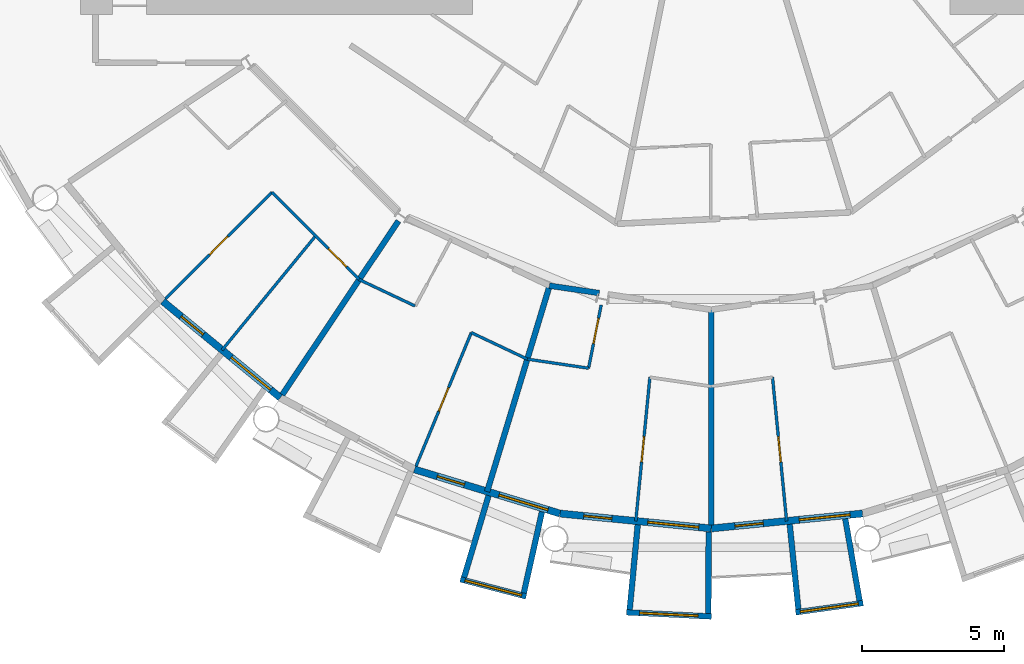
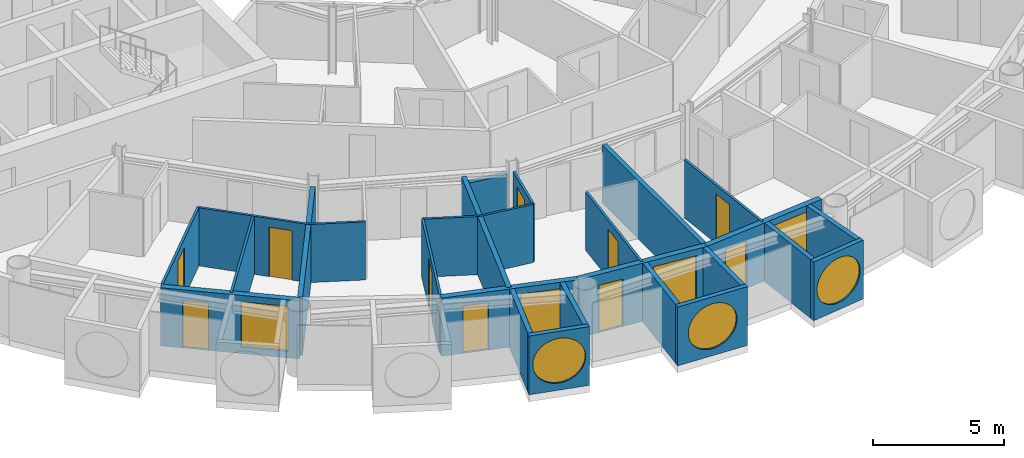
# One storey, part 14 of 27: 27 walls, 10 doors, 7 windows, 17 openings.
"""IFC4 building model written with IfcOpenShell, lengths in metres."""

import ifcopenshell
import ifcopenshell.guid

model = None  # the IFC model being written
_history = None  # IfcOwnerHistory: only IFC2X3 demands one
_inside = {}  # id of a spatial element -> (the spatial element, [elements in it])
_under = {}  # id of a project, library or spatial element -> (it, [spatial elements below it])
_declared = {}  # id of a project -> (the project, [libraries it declares])
_typed = {}  # id of a type object -> (the type object, [elements of that type])
_made_of = {}  # id of a material, layer set ... -> (it, [elements and type objects made of it])


def new_model(schema):
    """Start an empty IFC model of exactly this schema.

    Asked for "IFC4X3", IfcOpenShell would pick the latest addendum, in which some entities
    have other attributes; the version numbers below select the first issue.
    IFC2X3 requires an IfcOwnerHistory on every rooted entity: one is made here for all.
    """
    global model, _history
    if schema == "IFC4X3":
        model = ifcopenshell.file(schema_version=(4, 3, 0, 0))
    else:
        model = ifcopenshell.file(schema=schema)
    _inside.clear()
    _under.clear()
    _declared.clear()
    _typed.clear()
    _made_of.clear()
    _history = None
    if model.schema == "IFC2X3":
        org = make("IfcOrganization", Name="unknown")
        user = make(
            "IfcPersonAndOrganization",
            ThePerson=make("IfcPerson", FamilyName="unknown"),
            TheOrganization=org,
        )
        app = make(
            "IfcApplication",
            ApplicationDeveloper=org,
            Version="unknown",
            ApplicationFullName="unknown",
            ApplicationIdentifier="unknown",
        )
        _history = make(
            "IfcOwnerHistory",
            OwningUser=user,
            OwningApplication=app,
            ChangeAction="ADDED",
            CreationDate=0,
        )
    return model


def make(cls, **values):
    """One entity of the class cls with the attributes given. An attribute that is None is left unset."""
    return model.create_entity(
        cls, **{name: value for name, value in values.items() if value is not None}
    )


def rooted(cls, **values):
    """An entity with a GlobalId (a new one), such as an element, a storey or a relation."""
    return make(cls, GlobalId=ifcopenshell.guid.new(), OwnerHistory=_history, **values)


def si_unit(unit_type, name, prefix=None):
    """IfcSIUnit, for example si_unit("LENGTHUNIT", "METRE", prefix="MILLI")."""
    return make("IfcSIUnit", UnitType=unit_type, Prefix=prefix, Name=name)


def assignment(units):
    """IfcUnitAssignment: the units of a project."""
    return None if units is None else make("IfcUnitAssignment", Units=units)


def point(xyz):
    """IfcCartesianPoint."""
    return None if xyz is None else make("IfcCartesianPoint", Coordinates=xyz)


def direction(xyz):
    """IfcDirection."""
    return None if xyz is None else make("IfcDirection", DirectionRatios=xyz)


def frame(location, z_axis=None, x_axis=None):
    """IfcAxis2Placement3D, a coordinate frame: its origin and axes. An axis left out is left unset."""
    return make(
        "IfcAxis2Placement3D",
        Location=point(location),
        Axis=direction(z_axis),
        RefDirection=direction(x_axis),
    )


def frame_2d(location, x_axis=None):
    """IfcAxis2Placement2D, a coordinate frame in the plane: its origin and x axis."""
    return make(
        "IfcAxis2Placement2D", Location=point(location), RefDirection=direction(x_axis)
    )


def origin():
    """The frame at (0, 0, 0) with its axes left unset."""
    return frame((0.0, 0.0, 0.0))


def place(relative_to, where):
    """IfcLocalPlacement: puts the frame where relative to a parent placement (None: the world)."""
    return make(
        "IfcLocalPlacement", PlacementRelTo=relative_to, RelativePlacement=where
    )


def context(
    kind, dimensions, precision=None, world=None, true_north=None, identifier=None
):
    """IfcGeometricRepresentationContext, for example the 3D "Model" context."""
    return make(
        "IfcGeometricRepresentationContext",
        ContextIdentifier=identifier,
        ContextType=kind,
        CoordinateSpaceDimension=dimensions,
        Precision=precision,
        WorldCoordinateSystem=world,
        TrueNorth=true_north,
    )


def subcontext(parent, identifier, kind, view, scale=None):
    """IfcGeometricRepresentationSubContext, for example "Body" below "Model"."""
    return make(
        "IfcGeometricRepresentationSubContext",
        ContextIdentifier=identifier,
        ContextType=kind,
        ParentContext=parent,
        TargetScale=scale,
        TargetView=view,
    )


def project(units=None, contexts=None):
    """IfcProject with its units and contexts."""
    return rooted(
        "IfcProject",
        Name="project",
        RepresentationContexts=contexts,
        UnitsInContext=assignment(units),
    )


def spatial(cls, under=None, at=None, **own):
    """A site, building, storey or space (cls), placed at a placement, below another one or the project."""
    s = rooted(cls, ObjectPlacement=at, **own)
    if under is not None:
        _under.setdefault(under.id(), (under, []))[1].append(s)
    return s


def profile(cls, at=None, kind="AREA", **sizes):
    """A parametric profile (cls). Its sizes go by their IFC names, for example OverallWidth=200.0."""
    return make(cls, ProfileType=kind, Position=at, **sizes)


def rectangle(**sizes):
    """IfcRectangleProfileDef."""
    return profile("IfcRectangleProfileDef", **sizes)


def circle(**sizes):
    """IfcCircleProfileDef."""
    return profile("IfcCircleProfileDef", **sizes)


def extrude(swept, where, along, depth):
    """IfcExtrudedAreaSolid: the profile swept, set in the frame where, extruded along a direction by depth."""
    return make(
        "IfcExtrudedAreaSolid",
        SweptArea=swept,
        Position=where,
        ExtrudedDirection=direction(along),
        Depth=depth,
    )


def shape(context_of_items, identifier, shape_type, items):
    """IfcShapeRepresentation: the items that make up one representation, for example the "Body"."""
    return make(
        "IfcShapeRepresentation",
        ContextOfItems=context_of_items,
        RepresentationIdentifier=identifier,
        RepresentationType=shape_type,
        Items=items,
    )


def material(Name=None, Category=None):
    """IfcMaterial."""
    return make("IfcMaterial", Name=Name, Category=Category)


def layer(
    of_material, thickness, ventilated=None, Name=None, Category=None, Priority=None
):
    """IfcMaterialLayer: one layer of a wall or slab, of a material (None: an air gap)."""
    return make(
        "IfcMaterialLayer",
        Material=of_material,
        LayerThickness=thickness,
        IsVentilated=ventilated,
        Name=Name,
        Category=Category,
        Priority=Priority,
    )


def layer_set(layers, Name=None):
    """IfcMaterialLayerSet."""
    return make("IfcMaterialLayerSet", MaterialLayers=layers, LayerSetName=Name)


def made_of(thing, what):
    """Note that an element or type object is made of a material, layer set ...; save() writes the relation."""
    if what is not None:
        _made_of.setdefault(what.id(), (what, []))[1].append(thing)
    return thing


def type_object(cls, material=None, **own):
    """A type object (cls), such as IfcWallType, which elements share."""
    return made_of(rooted(cls, **own), material)


def element(
    cls,
    number,
    at=None,
    inside=None,
    cuts=None,
    type_object=None,
    material=None,
    context=None,
    identifier="Body",
    shape_type=None,
    held_by="IfcProductDefinitionShape",
    body=None,
    shapes=None,
    **own,
):
    """One element of the class cls, such as IfcWall. Its Tag is "e" and its number.

    at: its placement. inside: the storey or other place that contains it. cuts: it is an
    opening in that element (IfcRelVoidsElement). A single representation is given by context,
    identifier, shape_type and body (its items); several are given by shapes. held_by: the class
    of the entity that holds the representations. save() writes the other relations.
    """
    e = rooted(cls, Tag="e%d" % number, ObjectPlacement=at, **own)
    if body is not None:
        shapes = [shape(context, identifier, shape_type, body)]
    if shapes is not None:
        e.Representation = make(held_by, Representations=shapes)
    if inside is not None:
        _inside.setdefault(inside.id(), (inside, []))[1].append(e)
    if cuts is not None:
        rooted(
            "IfcRelVoidsElement", RelatingBuildingElement=cuts, RelatedOpeningElement=e
        )
    if type_object is not None:
        _typed.setdefault(type_object.id(), (type_object, []))[1].append(e)
    return made_of(e, material)


def fill(opening, filler):
    """IfcRelFillsElement: the door or window that sits in an opening."""
    return rooted(
        "IfcRelFillsElement",
        RelatingOpeningElement=opening,
        RelatedBuildingElement=filler,
    )


def aggregate(whole, parts):
    """IfcRelAggregates: a whole, such as a stair, and the parts it consists of."""
    return rooted("IfcRelAggregates", RelatingObject=whole, RelatedObjects=parts)


def save(model, path):
    """Write the relations noted so far, then the file.

    IfcRelAggregates (storeys below a building ...), IfcRelContainedInSpatialStructure (elements
    in a storey), IfcRelDefinesByType, IfcRelAssociatesMaterial and IfcRelDeclares: one each for
    every whole, place, type object, material and project.
    """
    for whole, parts in _under.values():
        aggregate(whole, parts)
    for where, things in _inside.values():
        rooted(
            "IfcRelContainedInSpatialStructure",
            RelatedElements=things,
            RelatingStructure=where,
        )
    for kind, things in _typed.values():
        rooted("IfcRelDefinesByType", RelatedObjects=things, RelatingType=kind)
    for what, things in _made_of.values():
        rooted("IfcRelAssociatesMaterial", RelatedObjects=things, RelatingMaterial=what)
    for by, libraries in _declared.values():
        rooted("IfcRelDeclares", RelatingContext=by, RelatedDefinitions=libraries)
    model.write(path)


model = new_model("IFC4")

# Units and contexts
model_context = context("Model", 3, precision=1e-05, world=origin(), true_north=direction((0.0, 1.0)))
body_context = subcontext(model_context, "Body", "Model", "MODEL_VIEW")
ifc_project = project(units=[si_unit("LENGTHUNIT", "METRE"), si_unit("AREAUNIT", "SQUARE_METRE"), si_unit("VOLUMEUNIT", "CUBIC_METRE"), si_unit("PLANEANGLEUNIT", "RADIAN"), si_unit("MASSUNIT", "GRAM", prefix="KILO")], contexts=[model_context])

# Site, building, storey
site_placement = place(None, origin())
site = spatial("IfcSite", under=ifc_project, at=site_placement, CompositionType="ELEMENT")
building_placement = place(site_placement, origin())
building = spatial("IfcBuilding", under=site, at=building_placement, Name="Maasbend Ring Residences", CompositionType="ELEMENT")
storey_placement = place(building_placement, frame((0.0, 0.0, 126.89990234375)))
storey = spatial("IfcBuildingStorey", under=building, at=storey_placement, Name="L36", CompositionType="ELEMENT", Elevation=126.89990234375)

# Wall
ifc_material_1 = material(Name="Concrete C30/37", Category="concrete")
ifc_layer_1 = layer(ifc_material_1, 0.199951171875)
ifc_layer_set_1 = layer_set([ifc_layer_1], Name="Concrete C30/37")
wall_type_1 = type_object("IfcWallType", Name="CORRIDOR WALL 200 CONCRETE", PredefinedType="PARTITIONING", material=ifc_layer_set_1)
wall_1_placement = place(storey_placement, frame((-5.696044921875, -18.7548828125, 0.0), z_axis=(0.0, 0.0, 1.0), x_axis=(0.989227802256, -0.146384272531, 0.0)))
element("IfcWall", 1, at=wall_1_placement, inside=storey, type_object=wall_type_1, Name="U-L36-w016", PredefinedType="PARTITIONING", context=body_context, shape_type="SweptSolid", body=[
    extrude(rectangle(XDim=1.776123046875, YDim=0.199951171875, at=frame_2d((0.88818359375, 0.0))), origin(), (0.0, 0.0, 1.0), 2.39013671875),
])

# Wall, opening, window
ifc_material_2 = material(Name="Pale anodised aluminium panel", Category="aluminium")
ifc_layer_2 = layer(ifc_material_2, 0.199951171875)
ifc_layer_set_2 = layer_set([ifc_layer_2], Name="EW-BOX")
wall_type_2 = type_object("IfcWallType", Name="EW-BOX", PredefinedType="SOLIDWALL", material=ifc_layer_set_2)
wall_2_placement = place(storey_placement, frame((-8.827880859375, -29.090087890625, -0.02978515625), z_axis=(0.0, 0.0, 1.0), x_axis=(0.967554339146, -0.252663018266, 0.0)))
wall_2 = element("IfcWall", 2, at=wall_2_placement, inside=storey, type_object=wall_type_2, Name="Box front S08", PredefinedType="SOLIDWALL", context=body_context, shape_type="SweptSolid", body=[
    extrude(rectangle(XDim=2.390625, YDim=0.199951171875, at=frame_2d((1.1953125, 0.0))), origin(), (0.0, 0.0, 1.0), 2.72998046875),
])
opening_1_placement = place(wall_2_placement, frame((0.15576171875, 0.0, 0.330078125)))
opening_1 = element("IfcOpeningElement", 3, at=opening_1_placement, cuts=wall_2, Name="Opening W-RD", PredefinedType="OPENING", context=body_context, shape_type="SweptSolid", body=[
    extrude(circle(Radius=1.0400390625, at=frame_2d((1.0400390625, 1.0400390625))), frame((0.0, 0.10986328125, 0.0), z_axis=(0.0, -1.0, 0.0), x_axis=(1.0, 0.0, 0.0)), (0.0, 0.0, 1.0), 0.219970703125),
])
ifc_material_3 = material(Name="Aluminium and clear glass", Category="aluminium")
window_type_1 = type_object("IfcWindowType", Name="W-RD", PartitioningType="SINGLE_PANEL", PredefinedType="WINDOW", material=ifc_material_3)
window_1_placement = place(opening_1_placement, origin())
window_1 = element("IfcWindow", 4, at=window_1_placement, inside=storey, type_object=window_type_1, Name="Round window S08", OverallHeight=2.080078125, OverallWidth=2.080078125, PartitioningType="SINGLE_PANEL", PredefinedType="WINDOW", context=body_context, shape_type="SweptSolid", body=[
    extrude(circle(Radius=1.0400390625, at=frame_2d((1.0400390625, 1.0400390625))), frame((0.0, 0.030029296875, 0.0), z_axis=(0.0, -1.0, 0.0), x_axis=(1.0, 0.0, 0.0)), (0.0, 0.0, 1.0), 0.06005859375),
])
fill(opening_1, window_1)

# Walls
wall_3_placement = place(storey_placement, frame((-7.8369140625, -26.14404296875, -0.02978515625), z_axis=(0.0, 0.0, 1.0), x_axis=(-0.287064767992, -0.957911174889, 0.0)))
element("IfcWall", 5, at=wall_3_placement, inside=storey, type_object=wall_type_2, Name="Box side wall S08 left", PredefinedType="SOLIDWALL", context=body_context, shape_type="SweptSolid", body=[
    extrude(rectangle(XDim=3.00634765625, YDim=0.199951171875, at=frame_2d((1.503173828125, 0.0))), origin(), (0.0, 0.0, 1.0), 2.72998046875),
])
wall_4_placement = place(storey_placement, frame((-5.95703125, -26.715087890625, -0.02978515625), z_axis=(0.0, 0.0, 1.0), x_axis=(-0.217857287091, -0.975980636315, 0.0)))
element("IfcWall", 6, at=wall_4_placement, inside=storey, type_object=wall_type_2, Name="Box side wall S08 right", PredefinedType="SOLIDWALL", context=body_context, shape_type="SweptSolid", body=[
    extrude(rectangle(XDim=2.92822265625, YDim=0.199951171875, at=frame_2d((1.464111328125, 0.0))), origin(), (0.0, 0.0, 1.0), 2.72998046875),
])

# Wall, opening, window
wall_5_placement = place(storey_placement, frame((-2.985107421875, -30.2529296875, -0.02978515625), z_axis=(0.0, 0.0, 1.0), x_axis=(0.998794083011, -0.049095618353, 0.0)))
wall_5 = element("IfcWall", 7, at=wall_5_placement, inside=storey, type_object=wall_type_2, Name="Box front S10", PredefinedType="SOLIDWALL", context=body_context, shape_type="SweptSolid", body=[
    extrude(rectangle(XDim=2.99365234375, YDim=0.199951171875, at=frame_2d((1.496826171875, 0.0))), origin(), (0.0, 0.0, 1.0), 2.72998046875),
])
opening_2_placement = place(wall_5_placement, frame((0.45654296875, 0.0, 0.330078125)))
opening_2 = element("IfcOpeningElement", 8, at=opening_2_placement, cuts=wall_5, Name="Opening W-RD", PredefinedType="OPENING", context=body_context, shape_type="SweptSolid", body=[
    extrude(circle(Radius=1.0400390625, at=frame_2d((1.0400390625, 1.0400390625))), frame((0.0, 0.10986328125, 0.0), z_axis=(0.0, -1.0, 0.0), x_axis=(1.0, 0.0, 0.0)), (0.0, 0.0, 1.0), 0.219970703125),
])
window_2_placement = place(opening_2_placement, origin())
window_2 = element("IfcWindow", 9, at=window_2_placement, inside=storey, type_object=window_type_1, Name="Round window S10", OverallHeight=2.080078125, OverallWidth=2.080078125, PartitioningType="SINGLE_PANEL", PredefinedType="WINDOW", context=body_context, shape_type="SweptSolid", body=[
    extrude(circle(Radius=1.0400390625, at=frame_2d((1.0400390625, 1.0400390625))), frame((0.0, 0.030029296875, 0.0), z_axis=(0.0, -1.0, 0.0), x_axis=(1.0, 0.0, 0.0)), (0.0, 0.0, 1.0), 0.06005859375),
])
fill(opening_2, window_2)

# Walls
wall_6_placement = place(storey_placement, frame((-2.5859375, -27.1708984375, -0.02978515625), z_axis=(0.0, 0.0, 1.0), x_axis=(-0.094548432284, -0.995520262954, 0.0)))
element("IfcWall", 10, at=wall_6_placement, inside=storey, type_object=wall_type_2, Name="Box side wall S10 left", PredefinedType="SOLIDWALL", context=body_context, shape_type="SweptSolid", body=[
    extrude(rectangle(XDim=3.005615234375, YDim=0.199951171875, at=frame_2d((1.5029296875, 0.0))), origin(), (0.0, 0.0, 1.0), 2.72998046875),
])
wall_7_placement = place(storey_placement, frame((-0.090087890625, -27.4169921875, -0.02978515625), z_axis=(0.0, 0.0, 1.0), x_axis=(-0.00347308367, -0.999993968827, 0.0)))
element("IfcWall", 11, at=wall_7_placement, inside=storey, type_object=wall_type_2, Name="Box side wall S10 right", PredefinedType="SOLIDWALL", context=body_context, shape_type="SweptSolid", body=[
    extrude(rectangle(XDim=2.882080078125, YDim=0.199951171875, at=frame_2d((1.44091796875, 0.0))), origin(), (0.0, 0.0, 1.0), 2.72998046875),
])

# Wall, opening, window
wall_8_placement = place(storey_placement, frame((2.97607421875, -30.25390625, -0.02978515625), z_axis=(0.0, 0.0, 1.0), x_axis=(0.99061207328, 0.136703036805, 0.0)))
wall_8 = element("IfcWall", 12, at=wall_8_placement, inside=storey, type_object=wall_type_2, Name="Box front S12", PredefinedType="SOLIDWALL", context=body_context, shape_type="SweptSolid", body=[
    extrude(rectangle(XDim=2.391357421875, YDim=0.199951171875, at=frame_2d((1.19580078125, 0.0))), origin(), (0.0, 0.0, 1.0), 2.72998046875),
])
opening_3_placement = place(wall_8_placement, frame((0.15576171875, 0.0, 0.330078125)))
opening_3 = element("IfcOpeningElement", 13, at=opening_3_placement, cuts=wall_8, Name="Opening W-RD", PredefinedType="OPENING", context=body_context, shape_type="SweptSolid", body=[
    extrude(circle(Radius=1.0400390625, at=frame_2d((1.0400390625, 1.0400390625))), frame((0.0, 0.10986328125, 0.0), z_axis=(0.0, -1.0, 0.0), x_axis=(1.0, 0.0, 0.0)), (0.0, 0.0, 1.0), 0.219970703125),
])
window_3_placement = place(opening_3_placement, origin())
window_3 = element("IfcWindow", 14, at=window_3_placement, inside=storey, type_object=window_type_1, Name="Round window S12", OverallHeight=2.080078125, OverallWidth=2.080078125, PartitioningType="SINGLE_PANEL", PredefinedType="WINDOW", context=body_context, shape_type="SweptSolid", body=[
    extrude(circle(Radius=1.0400390625, at=frame_2d((1.0400390625, 1.0400390625))), frame((0.0, 0.030029296875, 0.0), z_axis=(0.0, -1.0, 0.0), x_axis=(1.0, 0.0, 0.0)), (0.0, 0.0, 1.0), 0.06005859375),
])
fill(opening_3, window_3)

# Walls
wall_9_placement = place(storey_placement, frame((2.763916015625, -27.153076171875, -0.02978515625), z_axis=(0.0, 0.0, 1.0), x_axis=(0.101505487237, -0.994834979311, 0.0)))
element("IfcWall", 15, at=wall_9_placement, inside=storey, type_object=wall_type_2, Name="Box side wall S12 left", PredefinedType="SOLIDWALL", context=body_context, shape_type="SweptSolid", body=[
    extrude(rectangle(XDim=3.006591796875, YDim=0.199951171875, at=frame_2d((1.50341796875, 0.0))), origin(), (0.0, 0.0, 1.0), 2.72998046875),
])
wall_10_placement = place(storey_placement, frame((4.719970703125, -26.9609375, -0.02978515625), z_axis=(0.0, 0.0, 1.0), x_axis=(0.172463232037, -0.98501595601, 0.0)))
element("IfcWall", 16, at=wall_10_placement, inside=storey, type_object=wall_type_2, Name="Box side wall S12 right", PredefinedType="SOLIDWALL", context=body_context, shape_type="SweptSolid", body=[
    extrude(rectangle(XDim=2.928955078125, YDim=0.199951171875, at=frame_2d((1.46435546875, 0.0))), origin(), (0.0, 0.0, 1.0), 2.72998046875),
])

# Wall, openings, door, window
ifc_material_4 = material(Name="Aluminium clad insulated panel", Category="aluminium")
ifc_layer_3 = layer(ifc_material_4, 0.25)
ifc_layer_set_3 = layer_set([ifc_layer_3], Name="EW-GL")
wall_type_3 = type_object("IfcWallType", Name="EW-GL", PredefinedType="SOLIDWALL", material=ifc_layer_set_3)
wall_11_placement = place(storey_placement, frame((-19.303955078125, -19.303955078125, 0.0), z_axis=(0.0, 0.0, 1.0), x_axis=(0.773019449054, -0.634382322723, 0.0)))
wall_11 = element("IfcWall", 17, at=wall_11_placement, inside=storey, type_object=wall_type_3, Name="External wall S02", PredefinedType="SOLIDWALL", context=body_context, shape_type="SweptSolid", body=[
    extrude(rectangle(XDim=5.351806640625, YDim=0.25, at=frame_2d((2.67578125, 0.0))), origin(), (0.0, 0.0, 1.0), 2.7001953125),
])
opening_4_placement = place(wall_11_placement, frame((0.841064453125, 0.0, 0.0)))
opening_4 = element("IfcOpeningElement", 18, at=opening_4_placement, cuts=wall_11, Name="Opening D-LG", PredefinedType="OPENING", context=body_context, shape_type="SweptSolid", body=[
    extrude(rectangle(XDim=1.0, YDim=2.199951171875, at=frame_2d((0.5, 1.10009765625))), frame((0.0, 0.135009765625, 0.0), z_axis=(0.0, -1.0, 0.0), x_axis=(1.0, 0.0, 0.0)), (0.0, 0.0, 1.0), 0.27001953125),
])
opening_5_placement = place(wall_11_placement, frame((3.110595703125, 0.0, 0.300048828125)))
opening_5 = element("IfcOpeningElement", 19, at=opening_5_placement, cuts=wall_11, Name="Opening W-BX", PredefinedType="OPENING", context=body_context, shape_type="SweptSolid", body=[
    extrude(rectangle(XDim=1.800048828125, YDim=2.10009765625, at=frame_2d((0.89990234375, 1.050048828125))), frame((0.0, 0.135009765625, 0.0), z_axis=(0.0, -1.0, 0.0), x_axis=(1.0, 0.0, 0.0)), (0.0, 0.0, 1.0), 0.27001953125),
])
ifc_material_5 = material(Name="Aluminium and clear glass", Category="aluminium")
door_type_1 = type_object("IfcDoorType", Name="D-LG", OperationType="SINGLE_SWING_LEFT", PredefinedType="DOOR", material=ifc_material_5)
door_1_placement = place(opening_4_placement, origin())
door_1 = element("IfcDoor", 20, at=door_1_placement, inside=storey, type_object=door_type_1, Name="Loggia door S03", OperationType="SINGLE_SWING_LEFT", OverallHeight=2.199951171875, OverallWidth=1.0, PredefinedType="DOOR", context=body_context, shape_type="SweptSolid", body=[
    extrude(rectangle(XDim=1.0, YDim=2.199951171875, at=frame_2d((0.5, 1.10009765625))), frame((0.0, 0.02490234375, 0.0), z_axis=(0.0, -1.0, 0.0), x_axis=(1.0, 0.0, 0.0)), (0.0, 0.0, 1.0), 0.050048828125),
])
fill(opening_4, door_1)
ifc_material_6 = material(Name="Aluminium and clear glass", Category="aluminium")
window_type_2 = type_object("IfcWindowType", Name="W-BX", PartitioningType="DOUBLE_PANEL_VERTICAL", PredefinedType="WINDOW", material=ifc_material_6)
window_4_placement = place(opening_5_placement, origin())
window_4 = element("IfcWindow", 21, at=window_4_placement, inside=storey, type_object=window_type_2, Name="Window S04 room to box", OverallHeight=2.10009765625, OverallWidth=1.800048828125, PartitioningType="SINGLE_PANEL", PredefinedType="WINDOW", context=body_context, shape_type="SweptSolid", body=[
    extrude(rectangle(XDim=1.800048828125, YDim=2.10009765625, at=frame_2d((0.89990234375, 1.050048828125))), frame((0.0, 0.030029296875, 0.0), z_axis=(0.0, -1.0, 0.0), x_axis=(1.0, 0.0, 0.0)), (0.0, 0.0, 1.0), 0.06005859375),
])
fill(opening_5, window_4)

wall_12_placement = place(storey_placement, frame((-10.447021484375, -25.221923828125, 0.0), z_axis=(0.0, 0.0, 1.0), x_axis=(0.956965678721, -0.290201119486, 0.0)))
wall_12 = element("IfcWall", 22, at=wall_12_placement, inside=storey, type_object=wall_type_3, Name="External wall S04", PredefinedType="SOLIDWALL", context=body_context, shape_type="SweptSolid", body=[
    extrude(rectangle(XDim=5.351318359375, YDim=0.25, at=frame_2d((2.67578125, 0.0))), origin(), (0.0, 0.0, 1.0), 2.7001953125),
])
opening_6_placement = place(wall_12_placement, frame((0.841064453125, 0.0, 0.0)))
opening_6 = element("IfcOpeningElement", 23, at=opening_6_placement, cuts=wall_12, Name="Opening D-LG", PredefinedType="OPENING", context=body_context, shape_type="SweptSolid", body=[
    extrude(rectangle(XDim=1.0, YDim=2.199951171875, at=frame_2d((0.5, 1.10009765625))), frame((0.0, 0.135009765625, 0.0), z_axis=(0.0, -1.0, 0.0), x_axis=(1.0, 0.0, 0.0)), (0.0, 0.0, 1.0), 0.27001953125),
])
opening_7_placement = place(wall_12_placement, frame((3.110595703125, 0.0, 0.300048828125)))
opening_7 = element("IfcOpeningElement", 24, at=opening_7_placement, cuts=wall_12, Name="Opening W-BX", PredefinedType="OPENING", context=body_context, shape_type="SweptSolid", body=[
    extrude(rectangle(XDim=1.800048828125, YDim=2.10009765625, at=frame_2d((0.89990234375, 1.050048828125))), frame((0.0, 0.135009765625, 0.0), z_axis=(0.0, -1.0, 0.0), x_axis=(1.0, 0.0, 0.0)), (0.0, 0.0, 1.0), 0.27001953125),
])
door_2_placement = place(opening_6_placement, origin())
door_2 = element("IfcDoor", 25, at=door_2_placement, inside=storey, type_object=door_type_1, Name="Loggia door S07", OperationType="SINGLE_SWING_LEFT", OverallHeight=2.199951171875, OverallWidth=1.0, PredefinedType="DOOR", context=body_context, shape_type="SweptSolid", body=[
    extrude(rectangle(XDim=1.0, YDim=2.199951171875, at=frame_2d((0.5, 1.10009765625))), frame((0.0, 0.02490234375, 0.0), z_axis=(0.0, -1.0, 0.0), x_axis=(1.0, 0.0, 0.0)), (0.0, 0.0, 1.0), 0.050048828125),
])
fill(opening_6, door_2)
window_5_placement = place(opening_7_placement, origin())
window_5 = element("IfcWindow", 26, at=window_5_placement, inside=storey, type_object=window_type_2, Name="Window S08 room to box", OverallHeight=2.10009765625, OverallWidth=1.800048828125, PartitioningType="SINGLE_PANEL", PredefinedType="WINDOW", context=body_context, shape_type="SweptSolid", body=[
    extrude(rectangle(XDim=1.800048828125, YDim=2.10009765625, at=frame_2d((0.89990234375, 1.050048828125))), frame((0.0, 0.030029296875, 0.0), z_axis=(0.0, -1.0, 0.0), x_axis=(1.0, 0.0, 0.0)), (0.0, 0.0, 1.0), 0.06005859375),
])
fill(opening_7, window_5)

wall_13_placement = place(storey_placement, frame((-5.325927734375, -26.77490234375, 0.0), z_axis=(0.0, 0.0, 1.0), x_axis=(0.995173996315, -0.098126026407, 0.0)))
wall_13 = element("IfcWall", 27, at=wall_13_placement, inside=storey, type_object=wall_type_3, Name="External wall S05", PredefinedType="SOLIDWALL", context=body_context, shape_type="SweptSolid", body=[
    extrude(rectangle(XDim=5.351806640625, YDim=0.25, at=frame_2d((2.67578125, 0.0))), origin(), (0.0, 0.0, 1.0), 2.7001953125),
])
opening_8_placement = place(wall_13_placement, frame((0.841064453125, 0.0, 0.0)))
opening_8 = element("IfcOpeningElement", 28, at=opening_8_placement, cuts=wall_13, Name="Opening D-LG", PredefinedType="OPENING", context=body_context, shape_type="SweptSolid", body=[
    extrude(rectangle(XDim=1.0, YDim=2.199951171875, at=frame_2d((0.5, 1.10009765625))), frame((0.0, 0.135009765625, 0.0), z_axis=(0.0, -1.0, 0.0), x_axis=(1.0, 0.0, 0.0)), (0.0, 0.0, 1.0), 0.27001953125),
])
opening_9_placement = place(wall_13_placement, frame((3.110595703125, 0.0, 0.300048828125)))
opening_9 = element("IfcOpeningElement", 29, at=opening_9_placement, cuts=wall_13, Name="Opening W-BX", PredefinedType="OPENING", context=body_context, shape_type="SweptSolid", body=[
    extrude(rectangle(XDim=1.800048828125, YDim=2.10009765625, at=frame_2d((0.89990234375, 1.050048828125))), frame((0.0, 0.135009765625, 0.0), z_axis=(0.0, -1.0, 0.0), x_axis=(1.0, 0.0, 0.0)), (0.0, 0.0, 1.0), 0.27001953125),
])
door_3_placement = place(opening_8_placement, origin())
door_3 = element("IfcDoor", 30, at=door_3_placement, inside=storey, type_object=door_type_1, Name="Loggia door S09", OperationType="SINGLE_SWING_LEFT", OverallHeight=2.199951171875, OverallWidth=1.0, PredefinedType="DOOR", context=body_context, shape_type="SweptSolid", body=[
    extrude(rectangle(XDim=1.0, YDim=2.199951171875, at=frame_2d((0.5, 1.10009765625))), frame((0.0, 0.02490234375, 0.0), z_axis=(0.0, -1.0, 0.0), x_axis=(1.0, 0.0, 0.0)), (0.0, 0.0, 1.0), 0.050048828125),
])
fill(opening_8, door_3)
window_6_placement = place(opening_9_placement, origin())
window_6 = element("IfcWindow", 31, at=window_6_placement, inside=storey, type_object=window_type_2, Name="Window S10 room to box", OverallHeight=2.10009765625, OverallWidth=1.800048828125, PartitioningType="SINGLE_PANEL", PredefinedType="WINDOW", context=body_context, shape_type="SweptSolid", body=[
    extrude(rectangle(XDim=1.800048828125, YDim=2.10009765625, at=frame_2d((0.89990234375, 1.050048828125))), frame((0.0, 0.030029296875, 0.0), z_axis=(0.0, -1.0, 0.0), x_axis=(1.0, 0.0, 0.0)), (0.0, 0.0, 1.0), 0.06005859375),
])
fill(opening_9, window_6)

wall_14_placement = place(storey_placement, frame((0.0, -27.300048828125, 0.0), z_axis=(0.0, 0.0, 1.0), x_axis=(0.995173996315, 0.098126026407, 0.0)))
wall_14 = element("IfcWall", 32, at=wall_14_placement, inside=storey, type_object=wall_type_3, Name="External wall S06", PredefinedType="SOLIDWALL", context=body_context, shape_type="SweptSolid", body=[
    extrude(rectangle(XDim=5.351806640625, YDim=0.25, at=frame_2d((2.67578125, 0.0))), origin(), (0.0, 0.0, 1.0), 2.7001953125),
])
opening_10_placement = place(wall_14_placement, frame((0.841064453125, 0.0, 0.0)))
opening_10 = element("IfcOpeningElement", 33, at=opening_10_placement, cuts=wall_14, Name="Opening D-LG", PredefinedType="OPENING", context=body_context, shape_type="SweptSolid", body=[
    extrude(rectangle(XDim=1.0, YDim=2.199951171875, at=frame_2d((0.5, 1.10009765625))), frame((0.0, 0.135009765625, 0.0), z_axis=(0.0, -1.0, 0.0), x_axis=(1.0, 0.0, 0.0)), (0.0, 0.0, 1.0), 0.27001953125),
])
opening_11_placement = place(wall_14_placement, frame((3.110595703125, 0.0, 0.300048828125)))
opening_11 = element("IfcOpeningElement", 34, at=opening_11_placement, cuts=wall_14, Name="Opening W-BX", PredefinedType="OPENING", context=body_context, shape_type="SweptSolid", body=[
    extrude(rectangle(XDim=1.800048828125, YDim=2.10009765625, at=frame_2d((0.89990234375, 1.050048828125))), frame((0.0, 0.135009765625, 0.0), z_axis=(0.0, -1.0, 0.0), x_axis=(1.0, 0.0, 0.0)), (0.0, 0.0, 1.0), 0.27001953125),
])
door_4_placement = place(opening_10_placement, origin())
door_4 = element("IfcDoor", 35, at=door_4_placement, inside=storey, type_object=door_type_1, Name="Loggia door S11", OperationType="SINGLE_SWING_LEFT", OverallHeight=2.199951171875, OverallWidth=1.0, PredefinedType="DOOR", context=body_context, shape_type="SweptSolid", body=[
    extrude(rectangle(XDim=1.0, YDim=2.199951171875, at=frame_2d((0.5, 1.10009765625))), frame((0.0, 0.02490234375, 0.0), z_axis=(0.0, -1.0, 0.0), x_axis=(1.0, 0.0, 0.0)), (0.0, 0.0, 1.0), 0.050048828125),
])
fill(opening_10, door_4)
window_7_placement = place(opening_11_placement, origin())
window_7 = element("IfcWindow", 36, at=window_7_placement, inside=storey, type_object=window_type_2, Name="Window S12 room to box", OverallHeight=2.10009765625, OverallWidth=1.800048828125, PartitioningType="SINGLE_PANEL", PredefinedType="WINDOW", context=body_context, shape_type="SweptSolid", body=[
    extrude(rectangle(XDim=1.800048828125, YDim=2.10009765625, at=frame_2d((0.89990234375, 1.050048828125))), frame((0.0, 0.030029296875, 0.0), z_axis=(0.0, -1.0, 0.0), x_axis=(1.0, 0.0, 0.0)), (0.0, 0.0, 1.0), 0.06005859375),
])
fill(opening_11, window_7)

# Walls
ifc_material_7 = material(Name="Gypsum board on steel studs", Category="steel")
ifc_layer_4 = layer(ifc_material_7, 0.10009765625)
ifc_layer_set_4 = layer_set([ifc_layer_4], Name="PARTITION 100 GYPSUM")
wall_type_4 = type_object("IfcWallType", Name="PARTITION 100 GYPSUM", PredefinedType="PARTITIONING", material=ifc_layer_set_4)
wall_15_placement = place(storey_placement, frame((-12.39697265625, -18.537109375, 0.0), z_axis=(0.0, 0.0, 1.0), x_axis=(0.903951937529, -0.427634066274, 0.0)))
element("IfcWall", 37, at=wall_15_placement, inside=storey, type_object=wall_type_4, Name="U-L36-w001", PredefinedType="PARTITIONING", context=body_context, shape_type="SweptSolid", body=[
    extrude(rectangle(XDim=2.181396484375, YDim=0.10009765625, at=frame_2d((1.0908203125, 0.0))), origin(), (0.0, 0.0, 1.0), 2.7001953125),
])
wall_16_placement = place(storey_placement, frame((-8.445068359375, -20.406982421875, 0.0), z_axis=(0.0, 0.0, 1.0), x_axis=(0.903929143338, -0.427682246328, 0.0)))
element("IfcWall", 38, at=wall_16_placement, inside=storey, type_object=wall_type_4, Name="U-L36-w002", PredefinedType="PARTITIONING", context=body_context, shape_type="SweptSolid", body=[
    extrude(rectangle(XDim=2.181884765625, YDim=0.10009765625, at=frame_2d((1.0908203125, 0.0))), origin(), (0.0, 0.0, 1.0), 2.7001953125),
])
wall_17_placement = place(storey_placement, frame((-6.472900390625, -21.340087890625, 0.0), z_axis=(0.0, 0.0, 1.0), x_axis=(0.989185420695, -0.146670390618, 0.0)))
element("IfcWall", 39, at=wall_17_placement, inside=storey, type_object=wall_type_4, Name="U-L36-w003", PredefinedType="PARTITIONING", context=body_context, shape_type="SweptSolid", body=[
    extrude(rectangle(XDim=2.1806640625, YDim=0.10009765625, at=frame_2d((1.09033203125, 0.0))), origin(), (0.0, 0.0, 1.0), 2.7001953125),
])

# Wall, opening, door
wall_18_placement = place(storey_placement, frame((-15.462890625, -15.468017578125, 0.0), z_axis=(0.0, 0.0, 1.0), x_axis=(0.707106781187, -0.707106781187, 0.0)))
wall_18 = element("IfcWall", 40, at=wall_18_placement, inside=storey, type_object=wall_type_4, Name="U-L36-w010", PredefinedType="PARTITIONING", context=body_context, shape_type="SweptSolid", body=[
    extrude(rectangle(XDim=4.351318359375, YDim=0.10009765625, at=frame_2d((2.17578125, 0.0))), origin(), (0.0, 0.0, 1.0), 2.7001953125),
])
opening_12_placement = place(wall_18_placement, frame((2.80810546875, 0.0, 0.0)))
opening_12 = element("IfcOpeningElement", 41, at=opening_12_placement, cuts=wall_18, Name="Opening D-3635", PredefinedType="OPENING", context=body_context, shape_type="SweptSolid", body=[
    extrude(rectangle(XDim=0.89990234375, YDim=2.300048828125, at=frame_2d((0.449951171875, 1.14990234375))), frame((0.0, 0.06005859375, 0.0), z_axis=(0.0, -1.0, 0.0), x_axis=(1.0, 0.0, 0.0)), (0.0, 0.0, 1.0), 0.1201171875),
])
ifc_material_8 = material(Name="Timber, painted", Category="wood")
door_type_2 = type_object("IfcDoorType", Name="INTERNAL DOOR 900 X 2300", OperationType="NOTDEFINED", PredefinedType="DOOR", material=ifc_material_8)
door_5_placement = place(opening_12_placement, origin())
door_5 = element("IfcDoor", 42, at=door_5_placement, inside=storey, type_object=door_type_2, Name="D-3635", OperationType="SINGLE_SWING_RIGHT", OverallHeight=2.300048828125, OverallWidth=0.89990234375, PredefinedType="DOOR", context=body_context, shape_type="SweptSolid", body=[
    extrude(rectangle(XDim=0.89990234375, YDim=2.300048828125, at=frame_2d((0.449951171875, 1.14990234375))), frame((0.0, 0.02490234375, 0.0), z_axis=(0.0, -1.0, 0.0), x_axis=(1.0, 0.0, 0.0)), (0.0, 0.0, 1.0), 0.050048828125),
])
fill(opening_12, door_5)

wall_19_placement = place(storey_placement, frame((-19.216064453125, -19.216064453125, 0.0), z_axis=(0.0, 0.0, 1.0), x_axis=(0.707106781187, 0.707106781187, 0.0)))
wall_19 = element("IfcWall", 43, at=wall_19_placement, inside=storey, type_object=wall_type_4, Name="U-L36-w041", PredefinedType="PARTITIONING", context=body_context, shape_type="SweptSolid", body=[
    extrude(rectangle(XDim=5.3046875, YDim=0.10009765625, at=frame_2d((2.65234375, 0.0))), origin(), (0.0, 0.0, 1.0), 2.7001953125),
])
opening_13_placement = place(wall_19_placement, frame((2.201904296875, 0.0, 0.0)))
opening_13 = element("IfcOpeningElement", 44, at=opening_13_placement, cuts=wall_19, Name="Opening D-3634", PredefinedType="OPENING", context=body_context, shape_type="SweptSolid", body=[
    extrude(rectangle(XDim=0.89990234375, YDim=2.300048828125, at=frame_2d((0.449951171875, 1.14990234375))), frame((0.0, 0.06005859375, 0.0), z_axis=(0.0, -1.0, 0.0), x_axis=(1.0, 0.0, 0.0)), (0.0, 0.0, 1.0), 0.1201171875),
])
door_6_placement = place(opening_13_placement, origin())
door_6 = element("IfcDoor", 45, at=door_6_placement, inside=storey, type_object=door_type_2, Name="D-3634", OperationType="SINGLE_SWING_LEFT", OverallHeight=2.300048828125, OverallWidth=0.89990234375, PredefinedType="DOOR", context=body_context, shape_type="SweptSolid", body=[
    extrude(rectangle(XDim=0.89990234375, YDim=2.300048828125, at=frame_2d((0.449951171875, 1.14990234375))), frame((0.0, 0.02490234375, 0.0), z_axis=(0.0, -1.0, 0.0), x_axis=(1.0, 0.0, 0.0)), (0.0, 0.0, 1.0), 0.050048828125),
])
fill(opening_13, door_6)

# Wall
wall_20_placement = place(storey_placement, frame((-17.219970703125, -21.02294921875, 0.0), z_axis=(0.0, 0.0, 1.0), x_axis=(0.633774976367, 0.773517471898, 0.0)))
element("IfcWall", 46, at=wall_20_placement, inside=storey, type_object=wall_type_4, Name="U-L36-w043", PredefinedType="PARTITIONING", context=body_context, shape_type="SweptSolid", body=[
    extrude(rectangle(XDim=5.19580078125, YDim=0.10009765625, at=frame_2d((2.597900390625, 0.0))), origin(), (0.0, 0.0, 1.0), 2.7001953125),
])

# Wall, opening, door
wall_21_placement = place(storey_placement, frame((-10.39111328125, -25.110107421875, 0.0), z_axis=(0.0, 0.0, 1.0), x_axis=(0.382339082848, 0.92402209158, 0.0)))
wall_21 = element("IfcWall", 47, at=wall_21_placement, inside=storey, type_object=wall_type_4, Name="U-L36-w050", PredefinedType="PARTITIONING", context=body_context, shape_type="SweptSolid", body=[
    extrude(rectangle(XDim=5.08984375, YDim=0.10009765625, at=frame_2d((2.544921875, 0.0))), origin(), (0.0, 0.0, 1.0), 2.7001953125),
])
opening_14_placement = place(wall_21_placement, frame((2.094970703125, 0.0, 0.0)))
opening_14 = element("IfcOpeningElement", 48, at=opening_14_placement, cuts=wall_21, Name="Opening D-3638", PredefinedType="OPENING", context=body_context, shape_type="SweptSolid", body=[
    extrude(rectangle(XDim=0.89990234375, YDim=2.300048828125, at=frame_2d((0.449951171875, 1.14990234375))), frame((0.0, 0.06005859375, 0.0), z_axis=(0.0, -1.0, 0.0), x_axis=(1.0, 0.0, 0.0)), (0.0, 0.0, 1.0), 0.1201171875),
])
door_7_placement = place(opening_14_placement, origin())
door_7 = element("IfcDoor", 49, at=door_7_placement, inside=storey, type_object=door_type_2, Name="D-3638", OperationType="SINGLE_SWING_RIGHT", OverallHeight=2.300048828125, OverallWidth=0.89990234375, PredefinedType="DOOR", context=body_context, shape_type="SweptSolid", body=[
    extrude(rectangle(XDim=0.89990234375, YDim=2.300048828125, at=frame_2d((0.449951171875, 1.14990234375))), frame((0.0, 0.02490234375, 0.0), z_axis=(0.0, -1.0, 0.0), x_axis=(1.0, 0.0, 0.0)), (0.0, 0.0, 1.0), 0.050048828125),
])
fill(opening_14, door_7)

wall_22_placement = place(storey_placement, frame((-4.31591796875, -21.659912109375, 0.0), z_axis=(0.0, 0.0, 1.0), x_axis=(0.195557580153, 0.980692221262, 0.0)))
wall_22 = element("IfcWall", 50, at=wall_22_placement, inside=storey, type_object=wall_type_4, Name="U-L36-w059", PredefinedType="PARTITIONING", context=body_context, shape_type="SweptSolid", body=[
    extrude(rectangle(XDim=2.26953125, YDim=0.10009765625, at=frame_2d((1.134765625, 0.0))), origin(), (0.0, 0.0, 1.0), 2.7001953125),
])
opening_15_placement = place(wall_22_placement, frame((0.886962890625, 0.0, 0.0)))
opening_15 = element("IfcOpeningElement", 51, at=opening_15_placement, cuts=wall_22, Name="Opening D-3640", PredefinedType="OPENING", context=body_context, shape_type="SweptSolid", body=[
    extrude(rectangle(XDim=0.89990234375, YDim=2.300048828125, at=frame_2d((0.449951171875, 1.14990234375))), frame((0.0, 0.06005859375, 0.0), z_axis=(0.0, -1.0, 0.0), x_axis=(1.0, 0.0, 0.0)), (0.0, 0.0, 1.0), 0.1201171875),
])
door_8_placement = place(opening_15_placement, origin())
door_8 = element("IfcDoor", 52, at=door_8_placement, inside=storey, type_object=door_type_2, Name="D-3640", OperationType="SINGLE_SWING_RIGHT", OverallHeight=2.300048828125, OverallWidth=0.89990234375, PredefinedType="DOOR", context=body_context, shape_type="SweptSolid", body=[
    extrude(rectangle(XDim=0.89990234375, YDim=2.300048828125, at=frame_2d((0.449951171875, 1.14990234375))), frame((0.0, 0.02490234375, 0.0), z_axis=(0.0, -1.0, 0.0), x_axis=(1.0, 0.0, 0.0)), (0.0, 0.0, 1.0), 0.050048828125),
])
fill(opening_15, door_8)

wall_23_placement = place(storey_placement, frame((-2.655029296875, -27.044921875, 0.0), z_axis=(0.0, 0.0, 1.0), x_axis=(0.097670180016, 0.995218838214, 0.0)))
wall_23 = element("IfcWall", 53, at=wall_23_placement, inside=storey, type_object=wall_type_4, Name="U-L36-w062", PredefinedType="PARTITIONING", context=body_context, shape_type="SweptSolid", body=[
    extrude(rectangle(XDim=5.08935546875, YDim=0.10009765625, at=frame_2d((2.544677734375, 0.0))), origin(), (0.0, 0.0, 1.0), 2.7001953125),
])
opening_16_placement = place(wall_23_placement, frame((2.094970703125, 0.0, 0.0)))
opening_16 = element("IfcOpeningElement", 54, at=opening_16_placement, cuts=wall_23, Name="Opening D-3641", PredefinedType="OPENING", context=body_context, shape_type="SweptSolid", body=[
    extrude(rectangle(XDim=0.89990234375, YDim=2.300048828125, at=frame_2d((0.449951171875, 1.14990234375))), frame((0.0, 0.06005859375, 0.0), z_axis=(0.0, -1.0, 0.0), x_axis=(1.0, 0.0, 0.0)), (0.0, 0.0, 1.0), 0.1201171875),
])
door_9_placement = place(opening_16_placement, origin())
door_9 = element("IfcDoor", 55, at=door_9_placement, inside=storey, type_object=door_type_2, Name="D-3641", OperationType="SINGLE_SWING_RIGHT", OverallHeight=2.300048828125, OverallWidth=0.89990234375, PredefinedType="DOOR", context=body_context, shape_type="SweptSolid", body=[
    extrude(rectangle(XDim=0.89990234375, YDim=2.300048828125, at=frame_2d((0.449951171875, 1.14990234375))), frame((0.0, 0.02490234375, 0.0), z_axis=(0.0, -1.0, 0.0), x_axis=(1.0, 0.0, 0.0)), (0.0, 0.0, 1.0), 0.050048828125),
])
fill(opening_16, door_9)

wall_24_placement = place(storey_placement, frame((2.157958984375, -21.97998046875, 0.0), z_axis=(0.0, 0.0, 1.0), x_axis=(0.097670180016, -0.995218838214, 0.0)))
wall_24 = element("IfcWall", 56, at=wall_24_placement, inside=storey, type_object=wall_type_4, Name="U-L36-w071", PredefinedType="PARTITIONING", context=body_context, shape_type="SweptSolid", body=[
    extrude(rectangle(XDim=5.08935546875, YDim=0.10009765625, at=frame_2d((2.544677734375, 0.0))), origin(), (0.0, 0.0, 1.0), 2.7001953125),
])
opening_17_placement = place(wall_24_placement, frame((2.094970703125, 0.0, 0.0)))
opening_17 = element("IfcOpeningElement", 57, at=opening_17_placement, cuts=wall_24, Name="Opening D-3644", PredefinedType="OPENING", context=body_context, shape_type="SweptSolid", body=[
    extrude(rectangle(XDim=0.89990234375, YDim=2.300048828125, at=frame_2d((0.449951171875, 1.14990234375))), frame((0.0, 0.06005859375, 0.0), z_axis=(0.0, -1.0, 0.0), x_axis=(1.0, 0.0, 0.0)), (0.0, 0.0, 1.0), 0.1201171875),
])
door_10_placement = place(opening_17_placement, origin())
door_10 = element("IfcDoor", 58, at=door_10_placement, inside=storey, type_object=door_type_2, Name="D-3644", OperationType="SINGLE_SWING_LEFT", OverallHeight=2.300048828125, OverallWidth=0.89990234375, PredefinedType="DOOR", context=body_context, shape_type="SweptSolid", body=[
    extrude(rectangle(XDim=0.89990234375, YDim=2.300048828125, at=frame_2d((0.449951171875, 1.14990234375))), frame((0.0, 0.02490234375, 0.0), z_axis=(0.0, -1.0, 0.0), x_axis=(1.0, 0.0, 0.0)), (0.0, 0.0, 1.0), 0.050048828125),
])
fill(opening_17, door_10)

# Walls
ifc_material_9 = material(Name="Concrete C30/37", Category="concrete")
ifc_layer_5 = layer(ifc_material_9, 0.199951171875)
ifc_layer_set_5 = layer_set([ifc_layer_5], Name="Concrete C30/37")
wall_type_5 = type_object("IfcWallType", Name="PARTY WALL 200 CONCRETE", PredefinedType="PARTITIONING", material=ifc_layer_set_5)
wall_25_placement = place(storey_placement, frame((-15.10009765625, -22.593994140625, 0.0), z_axis=(0.0, 0.0, 1.0), x_axis=(0.555779189795, 0.831329953864, 0.0)))
element("IfcWall", 59, at=wall_25_placement, inside=storey, type_object=wall_type_5, Name="U-L36-w046", PredefinedType="PARTITIONING", context=body_context, shape_type="SweptSolid", body=[
    extrude(rectangle(XDim=7.359130859375, YDim=0.199951171875, at=frame_2d((3.6796875, 0.0))), origin(), (0.0, 0.0, 1.0), 2.7001953125),
])
for number, where, z_axis, x_axis, name in (
    (60, (-7.887939453125, -26.0048828125, 0.0), (0.0, 0.0, 1.0), (0.290294523619, 0.956937348815, 0.0), "U-L36-w054"),
    (61, (0.0, -27.175048828125, 0.0), (0.0, 0.0, 1.0), (0.0, 1.0, 0.0), "U-L36-w065"),
):
    element("IfcWall", number, at=place(storey_placement, frame(where, z_axis=z_axis, x_axis=x_axis)), inside=storey, type_object=wall_type_5, Name=name, PredefinedType="PARTITIONING", context=body_context, shape_type="SweptSolid", body=[
        extrude(rectangle(XDim=7.574951171875, YDim=0.199951171875, at=frame_2d((3.78759765625, 0.0))), origin(), (0.0, 0.0, 1.0), 2.7001953125),
    ])

save(model, "model.ifc")
